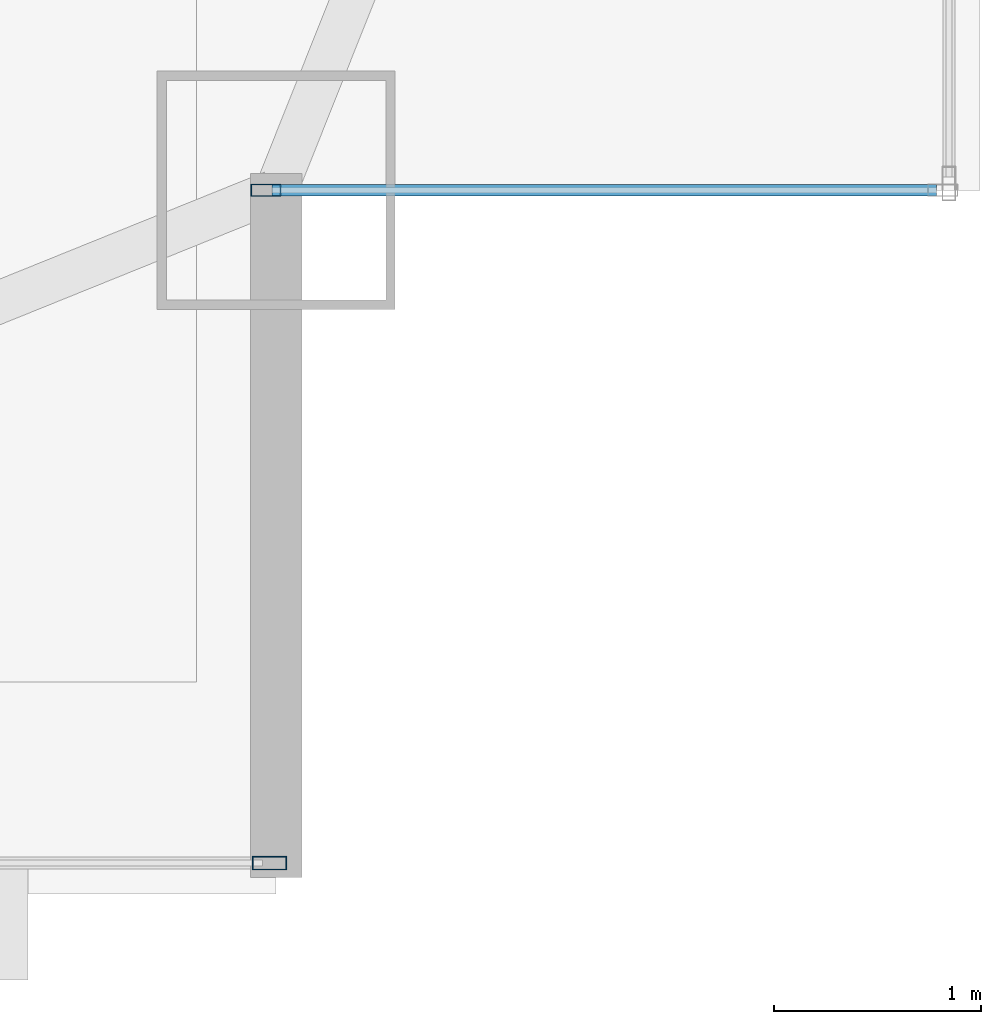
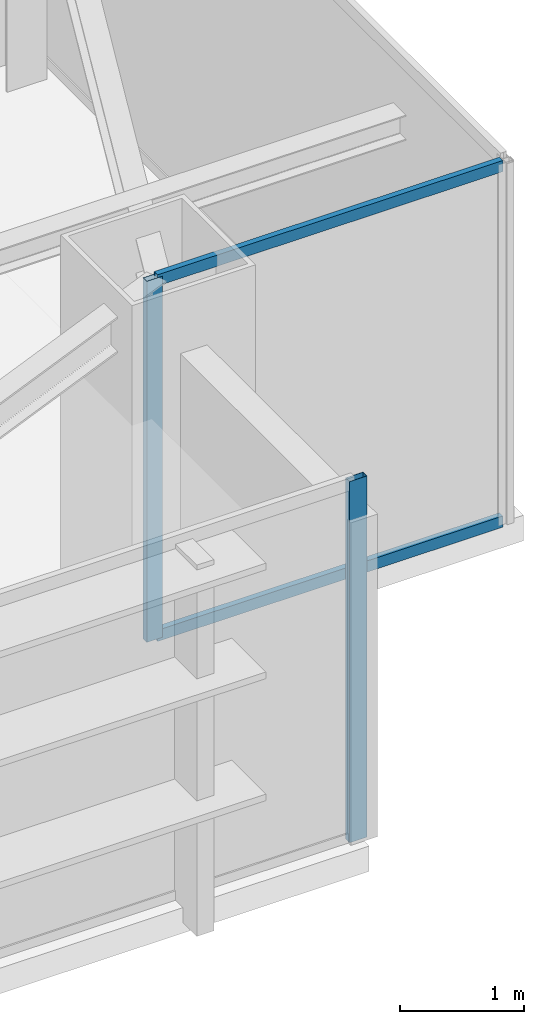
# One storey, part 12 of 27: 4 members, 2 elements without a shape of their own.
"""IFC4 building model written with IfcOpenShell, lengths in metres."""

import ifcopenshell
import ifcopenshell.guid

model = None  # the IFC model being written
_history = None  # IfcOwnerHistory: only IFC2X3 demands one
_inside = {}  # id of a spatial element -> (the spatial element, [elements in it])
_under = {}  # id of a project, library or spatial element -> (it, [spatial elements below it])
_declared = {}  # id of a project -> (the project, [libraries it declares])
_typed = {}  # id of a type object -> (the type object, [elements of that type])
_made_of = {}  # id of a material, layer set ... -> (it, [elements and type objects made of it])


def new_model(schema):
    """Start an empty IFC model of exactly this schema.

    Asked for "IFC4X3", IfcOpenShell would pick the latest addendum, in which some entities
    have other attributes; the version numbers below select the first issue.
    IFC2X3 requires an IfcOwnerHistory on every rooted entity: one is made here for all.
    """
    global model, _history
    if schema == "IFC4X3":
        model = ifcopenshell.file(schema_version=(4, 3, 0, 0))
    else:
        model = ifcopenshell.file(schema=schema)
    _inside.clear()
    _under.clear()
    _declared.clear()
    _typed.clear()
    _made_of.clear()
    _history = None
    if model.schema == "IFC2X3":
        org = make("IfcOrganization", Name="unknown")
        user = make(
            "IfcPersonAndOrganization",
            ThePerson=make("IfcPerson", FamilyName="unknown"),
            TheOrganization=org,
        )
        app = make(
            "IfcApplication",
            ApplicationDeveloper=org,
            Version="unknown",
            ApplicationFullName="unknown",
            ApplicationIdentifier="unknown",
        )
        _history = make(
            "IfcOwnerHistory",
            OwningUser=user,
            OwningApplication=app,
            ChangeAction="ADDED",
            CreationDate=0,
        )
    return model


def make(cls, **values):
    """One entity of the class cls with the attributes given. An attribute that is None is left unset."""
    return model.create_entity(
        cls, **{name: value for name, value in values.items() if value is not None}
    )


def rooted(cls, **values):
    """An entity with a GlobalId (a new one), such as an element, a storey or a relation."""
    return make(cls, GlobalId=ifcopenshell.guid.new(), OwnerHistory=_history, **values)


def si_unit(unit_type, name, prefix=None):
    """IfcSIUnit, for example si_unit("LENGTHUNIT", "METRE", prefix="MILLI")."""
    return make("IfcSIUnit", UnitType=unit_type, Prefix=prefix, Name=name)


def assignment(units):
    """IfcUnitAssignment: the units of a project."""
    return None if units is None else make("IfcUnitAssignment", Units=units)


def point(xyz):
    """IfcCartesianPoint."""
    return None if xyz is None else make("IfcCartesianPoint", Coordinates=xyz)


def direction(xyz):
    """IfcDirection."""
    return None if xyz is None else make("IfcDirection", DirectionRatios=xyz)


def frame(location, z_axis=None, x_axis=None):
    """IfcAxis2Placement3D, a coordinate frame: its origin and axes. An axis left out is left unset."""
    return make(
        "IfcAxis2Placement3D",
        Location=point(location),
        Axis=direction(z_axis),
        RefDirection=direction(x_axis),
    )


def frame_2d(location, x_axis=None):
    """IfcAxis2Placement2D, a coordinate frame in the plane: its origin and x axis."""
    return make(
        "IfcAxis2Placement2D", Location=point(location), RefDirection=direction(x_axis)
    )


def origin():
    """The frame at (0, 0, 0) with its axes left unset."""
    return frame((0.0, 0.0, 0.0))


def origin_2d():
    """The frame at (0, 0) in the plane with its x axis left unset."""
    return frame_2d((0.0, 0.0))


def place(relative_to, where):
    """IfcLocalPlacement: puts the frame where relative to a parent placement (None: the world)."""
    return make(
        "IfcLocalPlacement", PlacementRelTo=relative_to, RelativePlacement=where
    )


def context(
    kind, dimensions, precision=None, world=None, true_north=None, identifier=None
):
    """IfcGeometricRepresentationContext, for example the 3D "Model" context."""
    return make(
        "IfcGeometricRepresentationContext",
        ContextIdentifier=identifier,
        ContextType=kind,
        CoordinateSpaceDimension=dimensions,
        Precision=precision,
        WorldCoordinateSystem=world,
        TrueNorth=true_north,
    )


def subcontext(parent, identifier, kind, view, scale=None):
    """IfcGeometricRepresentationSubContext, for example "Body" below "Model"."""
    return make(
        "IfcGeometricRepresentationSubContext",
        ContextIdentifier=identifier,
        ContextType=kind,
        ParentContext=parent,
        TargetScale=scale,
        TargetView=view,
    )


def project(units=None, contexts=None):
    """IfcProject with its units and contexts."""
    return rooted(
        "IfcProject",
        Name="project",
        RepresentationContexts=contexts,
        UnitsInContext=assignment(units),
    )


def spatial(cls, under=None, at=None, **own):
    """A site, building, storey or space (cls), placed at a placement, below another one or the project."""
    s = rooted(cls, ObjectPlacement=at, **own)
    if under is not None:
        _under.setdefault(under.id(), (under, []))[1].append(s)
    return s


def profile(cls, at=None, kind="AREA", **sizes):
    """A parametric profile (cls). Its sizes go by their IFC names, for example OverallWidth=200.0."""
    return make(cls, ProfileType=kind, Position=at, **sizes)


def hollow_rectangle(**sizes):
    """IfcRectangleHollowProfileDef."""
    return profile("IfcRectangleHollowProfileDef", **sizes)


def extrude(swept, where, along, depth):
    """IfcExtrudedAreaSolid: the profile swept, set in the frame where, extruded along a direction by depth."""
    return make(
        "IfcExtrudedAreaSolid",
        SweptArea=swept,
        Position=where,
        ExtrudedDirection=direction(along),
        Depth=depth,
    )


def shape(context_of_items, identifier, shape_type, items):
    """IfcShapeRepresentation: the items that make up one representation, for example the "Body"."""
    return make(
        "IfcShapeRepresentation",
        ContextOfItems=context_of_items,
        RepresentationIdentifier=identifier,
        RepresentationType=shape_type,
        Items=items,
    )


def source(mapping_origin, context_of_items, identifier, shape_type, items):
    """IfcRepresentationMap: a shape defined once, which mapped items show again and again."""
    return make(
        "IfcRepresentationMap",
        MappingOrigin=mapping_origin,
        MappedRepresentation=shape(context_of_items, identifier, shape_type, items),
    )


def transform(
    local_origin,
    x_axis=None,
    y_axis=None,
    z_axis=None,
    scale=None,
    scale2=None,
    scale3=None,
    uniform=True,
):
    """IfcCartesianTransformationOperator3D, or its non-uniform kind. x_axis, y_axis, z_axis: its Axis1, 2, 3."""
    if uniform:
        return make(
            "IfcCartesianTransformationOperator3D",
            Axis1=direction(x_axis),
            Axis2=direction(y_axis),
            LocalOrigin=point(local_origin),
            Scale=scale,
            Axis3=direction(z_axis),
        )
    return make(
        "IfcCartesianTransformationOperator3DnonUniform",
        Axis1=direction(x_axis),
        Axis2=direction(y_axis),
        LocalOrigin=point(local_origin),
        Scale=scale,
        Axis3=direction(z_axis),
        Scale2=scale2,
        Scale3=scale3,
    )


def mapped(mapping_source, mapping_target):
    """IfcMappedItem: shows the shape of a source again, moved by a transform."""
    return make(
        "IfcMappedItem", MappingSource=mapping_source, MappingTarget=mapping_target
    )


def material(Name=None, Category=None):
    """IfcMaterial."""
    return make("IfcMaterial", Name=Name, Category=Category)


def layer(
    of_material, thickness, ventilated=None, Name=None, Category=None, Priority=None
):
    """IfcMaterialLayer: one layer of a wall or slab, of a material (None: an air gap)."""
    return make(
        "IfcMaterialLayer",
        Material=of_material,
        LayerThickness=thickness,
        IsVentilated=ventilated,
        Name=Name,
        Category=Category,
        Priority=Priority,
    )


def layer_set(layers, Name=None):
    """IfcMaterialLayerSet."""
    return make("IfcMaterialLayerSet", MaterialLayers=layers, LayerSetName=Name)


def material_profile(
    of_material, cross_section, Name=None, Category=None, Priority=None
):
    """IfcMaterialProfile: a cross section and its material."""
    return make(
        "IfcMaterialProfile",
        Name=Name,
        Material=of_material,
        Profile=cross_section,
        Priority=Priority,
        Category=Category,
    )


def profile_set(profiles, Name=None, composite=None):
    """IfcMaterialProfileSet."""
    return make(
        "IfcMaterialProfileSet",
        Name=Name,
        MaterialProfiles=profiles,
        CompositeProfile=composite,
    )


def made_of(thing, what):
    """Note that an element or type object is made of a material, layer set ...; save() writes the relation."""
    if what is not None:
        _made_of.setdefault(what.id(), (what, []))[1].append(thing)
    return thing


def type_object(cls, material=None, **own):
    """A type object (cls), such as IfcWallType, which elements share."""
    return made_of(rooted(cls, **own), material)


def type_shapes(of_type, sources):
    """Give a type object the sources (RepresentationMaps) that its elements show as mapped items."""
    of_type.RepresentationMaps = sources


def element(
    cls,
    number,
    at=None,
    inside=None,
    cuts=None,
    type_object=None,
    material=None,
    context=None,
    identifier="Body",
    shape_type=None,
    held_by="IfcProductDefinitionShape",
    body=None,
    shapes=None,
    **own,
):
    """One element of the class cls, such as IfcWall. Its Tag is "e" and its number.

    at: its placement. inside: the storey or other place that contains it. cuts: it is an
    opening in that element (IfcRelVoidsElement). A single representation is given by context,
    identifier, shape_type and body (its items); several are given by shapes. held_by: the class
    of the entity that holds the representations. save() writes the other relations.
    """
    e = rooted(cls, Tag="e%d" % number, ObjectPlacement=at, **own)
    if body is not None:
        shapes = [shape(context, identifier, shape_type, body)]
    if shapes is not None:
        e.Representation = make(held_by, Representations=shapes)
    if inside is not None:
        _inside.setdefault(inside.id(), (inside, []))[1].append(e)
    if cuts is not None:
        rooted(
            "IfcRelVoidsElement", RelatingBuildingElement=cuts, RelatedOpeningElement=e
        )
    if type_object is not None:
        _typed.setdefault(type_object.id(), (type_object, []))[1].append(e)
    return made_of(e, material)


def aggregate(whole, parts):
    """IfcRelAggregates: a whole, such as a stair, and the parts it consists of."""
    return rooted("IfcRelAggregates", RelatingObject=whole, RelatedObjects=parts)


def save(model, path):
    """Write the relations noted so far, then the file.

    IfcRelAggregates (storeys below a building ...), IfcRelContainedInSpatialStructure (elements
    in a storey), IfcRelDefinesByType, IfcRelAssociatesMaterial and IfcRelDeclares: one each for
    every whole, place, type object, material and project.
    """
    for whole, parts in _under.values():
        aggregate(whole, parts)
    for where, things in _inside.values():
        rooted(
            "IfcRelContainedInSpatialStructure",
            RelatedElements=things,
            RelatingStructure=where,
        )
    for kind, things in _typed.values():
        rooted("IfcRelDefinesByType", RelatedObjects=things, RelatingType=kind)
    for what, things in _made_of.values():
        rooted("IfcRelAssociatesMaterial", RelatedObjects=things, RelatingMaterial=what)
    for by, libraries in _declared.values():
        rooted("IfcRelDeclares", RelatingContext=by, RelatedDefinitions=libraries)
    model.write(path)


model = new_model("IFC4")

# Units and contexts
model_context = context("Model", 3, precision=1e-05, world=origin(), true_north=direction((0.0, 1.0)))
body_context = subcontext(model_context, "Body", "Model", "MODEL_VIEW")
ifc_project = project(units=[si_unit("LENGTHUNIT", "METRE"), si_unit("AREAUNIT", "SQUARE_METRE"), si_unit("VOLUMEUNIT", "CUBIC_METRE"), si_unit("PLANEANGLEUNIT", "RADIAN"), si_unit("MASSUNIT", "GRAM", prefix="KILO")], contexts=[model_context])

# Site, building, storey
site_placement = place(None, origin())
site = spatial("IfcSite", under=ifc_project, at=site_placement, CompositionType="ELEMENT")
building_placement = place(site_placement, origin())
building = spatial("IfcBuilding", under=site, at=building_placement, Name="Varnel Quay Broadcast Tower", CompositionType="ELEMENT")
storey_placement = place(building_placement, frame((0.0, 0.0, 203.60009765625)))
storey = spatial("IfcBuildingStorey", under=building, at=storey_placement, Name="L50", CompositionType="ELEMENT", Elevation=203.60009765625)

# Curtain wall, member
ifc_material = material(Name="Anodised Bronze Aluminium 6063-T6", Category="aluminium")
ifc_layer_1 = layer(ifc_material, 0.18994140625, Name="Anodised Bronze Aluminium 6063-T6")
ifc_layer_set_1 = layer_set([ifc_layer_1], Name="Anodised Bronze Aluminium 6063-T6")
curtain_wall_type_1 = type_object("IfcCurtainWallType", Name="CW_NotchCorner", PredefinedType="NOTDEFINED", material=ifc_layer_set_1)
curtain_wall_1_placement = place(storey_placement, origin())
curtain_wall_1 = element("IfcCurtainWall", 1, at=curtain_wall_1_placement, inside=storey, type_object=curtain_wall_type_1, Name="L50 SE Notch Curtain Wall", PredefinedType="NOTDEFINED")
ifc_material_profile_1 = material_profile(ifc_material, hollow_rectangle(XDim=0.06005859375, YDim=0.14501953125, WallThickness=0.00341796875, at=origin_2d()), Name="ALU60X145X3.5")
ifc_profile_set_1 = profile_set([ifc_material_profile_1], Name="Anodised Bronze Aluminium 6063-T6")
member_type_1 = type_object("IfcMemberType", Name="Mull_CWS-04", PredefinedType="MULLION", material=ifc_profile_set_1)
shared_shape_1 = source(origin(), body_context, "Body", "SweptSolid", [
    extrude(hollow_rectangle(XDim=0.06005859375, YDim=0.14501953125, WallThickness=0.00341796875, at=origin_2d()), origin(), (0.0, 0.0, 1.0), 3.5498046875),
])
type_shapes(member_type_1, [shared_shape_1])
member_1_placement = place(storey_placement, frame((55.050048828125, 13.60009765625, 0.0), z_axis=(0.0, 0.0, 1.0), x_axis=(0.0, 1.0, 0.0)))
member_1 = element("IfcMember", 2, at=member_1_placement, type_object=member_type_1, Name="CWS-04 mullion 1", PredefinedType="MULLION", context=body_context, shape_type="MappedRepresentation", body=[
    mapped(shared_shape_1, transform((0.0, 0.0, 0.0), x_axis=(1.0, 0.0, 0.0), y_axis=(0.0, 1.0, 0.0), z_axis=(0.0, 0.0, 1.0), scale=1.0)),
])

ifc_layer_2 = layer(ifc_material, 0.18994140625, Name="Anodised Bronze Aluminium 6063-T6")
ifc_layer_set_2 = layer_set([ifc_layer_2], Name="Anodised Bronze Aluminium 6063-T6")
curtain_wall_type_2 = type_object("IfcCurtainWallType", Name="CW_UpperTower", PredefinedType="NOTDEFINED", material=ifc_layer_set_2)
curtain_wall_2_placement = place(storey_placement, origin())
curtain_wall_2 = element("IfcCurtainWall", 3, at=curtain_wall_2_placement, inside=storey, type_object=curtain_wall_type_2, Name="L50 South Unitised Curtain Wall 1", PredefinedType="NOTDEFINED")
ifc_material_profile_2 = material_profile(ifc_material, hollow_rectangle(XDim=0.06494140625, YDim=0.1650390625, WallThickness=0.00341796875, at=origin_2d()), Name="ALU65X165X3.5")
ifc_profile_set_2 = profile_set([ifc_material_profile_2], Name="Anodised Bronze Aluminium 6063-T6")
member_type_2 = type_object("IfcMemberType", Name="Mull_CWS-03", PredefinedType="MULLION", material=ifc_profile_set_2)
shared_shape_2 = source(origin(), body_context, "Body", "SweptSolid", [
    extrude(hollow_rectangle(XDim=0.06494140625, YDim=0.1650390625, WallThickness=0.00341796875, at=origin_2d()), origin(), (0.0, 0.0, 1.0), 3.5498046875),
])
type_shapes(member_type_2, [shared_shape_2])
member_2_placement = place(storey_placement, frame((55.0673828125, 10.35009765625, 0.0), z_axis=(0.0, 0.0, 1.0), x_axis=(0.0, 1.0, 0.0)))
member_2 = element("IfcMember", 4, at=member_2_placement, type_object=member_type_2, Name="CWS-03 mullion 4", PredefinedType="MULLION", context=body_context, shape_type="MappedRepresentation", body=[
    mapped(shared_shape_2, transform((0.0, 0.0, 0.0), x_axis=(1.0, 0.0, 0.0), y_axis=(0.0, 1.0, 0.0), z_axis=(0.0, 0.0, 1.0), scale=1.0)),
])
aggregate(curtain_wall_2, [member_2])

# Member
ifc_material_profile_3 = material_profile(ifc_material, hollow_rectangle(XDim=0.054931640625, YDim=0.110107421875, WallThickness=0.0029296875, at=origin_2d()), Name="ALU55X110X3")
ifc_profile_set_3 = profile_set([ifc_material_profile_3], Name="Anodised Bronze Aluminium 6063-T6")
member_type_3 = type_object("IfcMemberType", Name="Tran_CWS-04", PredefinedType="USERDEFINED", material=ifc_profile_set_3)
shared_shape_3 = source(origin(), body_context, "Body", "SweptSolid", [
    extrude(hollow_rectangle(XDim=0.054931640625, YDim=0.110107421875, WallThickness=0.0029296875, at=origin_2d()), origin(), (0.0, 0.0, 1.0), 3.2099609375),
])
type_shapes(member_type_3, [shared_shape_3])
member_3_placement = place(storey_placement, frame((55.080078125, 13.60009765625, 0.02734375), z_axis=(1.0, 0.0, 0.0), x_axis=(0.0, 1.0, 0.0)))
member_3 = element("IfcMember", 5, at=member_3_placement, type_object=member_type_3, Name="CWS-04 transom 1.1", ObjectType="TRANSOM", PredefinedType="USERDEFINED", context=body_context, shape_type="MappedRepresentation", body=[
    mapped(shared_shape_3, transform((0.0, 0.0, 0.0), x_axis=(1.0, 0.0, 0.0), y_axis=(0.0, 1.0, 0.0), z_axis=(0.0, 0.0, 1.0), scale=1.0)),
])

member_4_placement = place(storey_placement, frame((55.080078125, 13.60009765625, 3.5224609375), z_axis=(1.0, 0.0, 0.0), x_axis=(0.0, 1.0, 0.0)))
member_4 = element("IfcMember", 6, at=member_4_placement, type_object=member_type_3, Name="CWS-04 transom 1.2", ObjectType="TRANSOM", PredefinedType="USERDEFINED", context=body_context, shape_type="MappedRepresentation", body=[
    mapped(shared_shape_3, transform((0.0, 0.0, 0.0), x_axis=(1.0, 0.0, 0.0), y_axis=(0.0, 1.0, 0.0), z_axis=(0.0, 0.0, 1.0), scale=1.0)),
])

aggregate(curtain_wall_1, [member_1, member_3, member_4])

save(model, "model.ifc")
